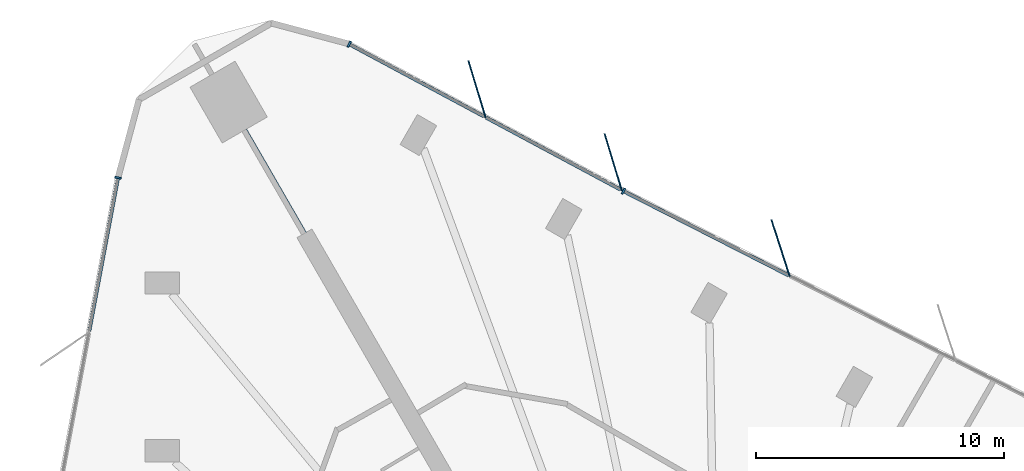
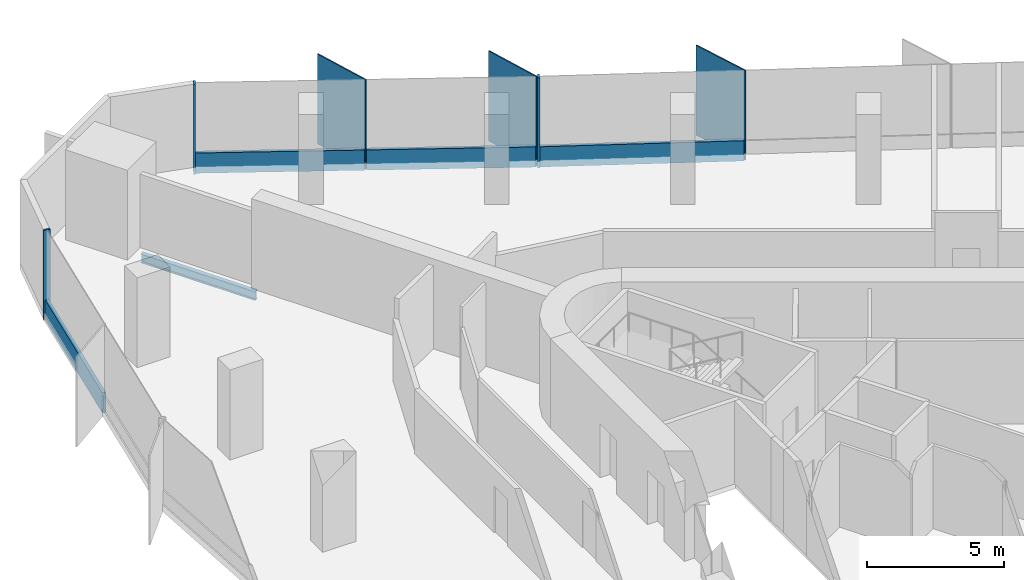
# One storey, part 6 of 13: 10 members, 1 beam, 3 elements without a shape of their own.
"""IFC4 building model written with IfcOpenShell, lengths in metres."""

from ifc_helpers import new_model, si_unit, direction, frame, origin, origin_2d, place, context, subcontext, project, spatial, rectangle, i_section, extrude, material, material_profile, profile_set, type_object, element, aggregate, save


model = new_model("IFC4")

# Units and contexts
model_context = context("Model", 3, precision=1e-05, world=origin(), true_north=direction((0.0, 1.0)))
body_context = subcontext(model_context, "Body", "Model", "MODEL_VIEW")
ifc_project = project(units=[si_unit("LENGTHUNIT", "METRE"), si_unit("AREAUNIT", "SQUARE_METRE"), si_unit("VOLUMEUNIT", "CUBIC_METRE"), si_unit("PLANEANGLEUNIT", "RADIAN"), si_unit("MASSUNIT", "GRAM", prefix="KILO")], contexts=[model_context])

# Site, building, storey
site_placement = place(None, origin())
site = spatial("IfcSite", under=ifc_project, at=site_placement, CompositionType="ELEMENT")
building_placement = place(site_placement, origin())
building = spatial("IfcBuilding", under=site, at=building_placement, Name="Tanit Gate Tower", CompositionType="ELEMENT")
storey_placement = place(building_placement, frame((0.0, 0.0, 177.199951171875)))
storey = spatial("IfcBuildingStorey", under=building, at=storey_placement, Name="L38", CompositionType="ELEMENT", Elevation=177.199951171875)

# Curtain wall, member
ifc_material_1 = material(Name="Aluminium bronze anodised and glass", Category="aluminium")
curtain_wall_type = type_object("IfcCurtainWallType", Name="Curtain wall typical mid", PredefinedType="NOTDEFINED", material=ifc_material_1)
curtain_wall_1_placement = place(storey_placement, origin())
curtain_wall_1 = element("IfcCurtainWall", 1, at=curtain_wall_1_placement, inside=storey, type_object=curtain_wall_type, Name="Curtain wall L38 NE2", PredefinedType="NOTDEFINED")
ifc_material_2 = material(Name="Aluminium bronze anodised", Category="aluminium")
ifc_material_profile_1 = material_profile(ifc_material_2, rectangle(XDim=2.39990234375, YDim=0.055908203125, at=origin_2d()), Name="56x2400 bronze fin mullion")
ifc_profile_set_1 = profile_set([ifc_material_profile_1], Name="Aluminium bronze anodised")
member_type_1 = type_object("IfcMemberType", Name="FIN MULLION 56x2400 bronze", PredefinedType="MULLION", material=ifc_profile_set_1)
member_1_placement = place(storey_placement, frame((2.418212890625, 28.48974609375, -0.300048828125), z_axis=(0.0, 0.0, 1.0), x_axis=(0.308568289465, -0.951202192353, 0.0)))
member_1 = element("IfcMember", 2, at=member_1_placement, type_object=member_type_1, Name="Fin mullion L38 NE2.5", PredefinedType="MULLION", context=body_context, shape_type="SweptSolid", body=[
    extrude(rectangle(XDim=2.39990234375, YDim=0.055908203125, at=origin_2d()), origin(), (0.0, 0.0, 1.0), 4.0),
])

# Curtain wall, members
curtain_wall_2_placement = place(storey_placement, origin())
curtain_wall_2 = element("IfcCurtainWall", 3, at=curtain_wall_2_placement, inside=storey, type_object=curtain_wall_type, Name="Curtain wall L38 NE3", PredefinedType="NOTDEFINED")
member_2_placement = place(storey_placement, frame((-4.333740234375, 31.953857421875, -0.300048828125), z_axis=(0.0, 0.0, 1.0), x_axis=(0.289196311562, -0.957269812216, 0.0)))
member_2 = element("IfcMember", 4, at=member_2_placement, type_object=member_type_1, Name="Fin mullion L38 NE3.1", PredefinedType="MULLION", context=body_context, shape_type="SweptSolid", body=[
    extrude(rectangle(XDim=2.39990234375, YDim=0.055908203125, at=origin_2d()), origin(), (0.0, 0.0, 1.0), 4.0),
])
member_3_placement = place(storey_placement, frame((-9.829345703125, 34.8994140625, -0.300048828125), z_axis=(0.0, 0.0, 1.0), x_axis=(0.289196311562, -0.957269812216, 0.0)))
member_3 = element("IfcMember", 5, at=member_3_placement, type_object=member_type_1, Name="Fin mullion L38 NE3.2", PredefinedType="MULLION", context=body_context, shape_type="SweptSolid", body=[
    extrude(rectangle(XDim=2.39990234375, YDim=0.055908203125, at=origin_2d()), origin(), (0.0, 0.0, 1.0), 4.0),
])

# Member
ifc_material_3 = material(Name="Aluminium bronze anodised", Category="aluminium")
ifc_material_profile_2 = material_profile(ifc_material_3, rectangle(XDim=0.260009765625, YDim=0.080078125, at=origin_2d()), Name="80x260 bronze mullion")
ifc_profile_set_2 = profile_set([ifc_material_profile_2], Name="Aluminium bronze anodised")
member_type_2 = type_object("IfcMemberType", Name="Mullion 80x260 typical mid", PredefinedType="MULLION", material=ifc_profile_set_2)
member_4_placement = place(storey_placement, frame((-3.921875, 30.788330078125, -0.300048828125), z_axis=(0.0, 0.0, 1.0), x_axis=(-0.454410790552, -0.890792250432, 0.0)))
member_4 = element("IfcMember", 6, at=member_4_placement, type_object=member_type_2, Name="Mullion L38 NE2.6", PredefinedType="MULLION", context=body_context, shape_type="SweptSolid", body=[
    extrude(rectangle(XDim=0.260009765625, YDim=0.080078125, at=origin_2d()), origin(), (0.0, 0.0, 1.0), 4.0),
])

member_5_placement = place(storey_placement, frame((-14.984130859375, 36.716552734375, -0.300048828125), z_axis=(0.0, 0.0, 1.0), x_axis=(-0.472399302643, -0.881384648642, 0.0)))
member_5 = element("IfcMember", 7, at=member_5_placement, type_object=member_type_2, Name="Mullion L38 NE3.3", PredefinedType="MULLION", context=body_context, shape_type="SweptSolid", body=[
    extrude(rectangle(XDim=0.260009765625, YDim=0.080078125, at=origin_2d()), origin(), (0.0, 0.0, 1.0), 4.0),
])

# Curtain wall, member
curtain_wall_3_placement = place(storey_placement, origin())
curtain_wall_3 = element("IfcCurtainWall", 8, at=curtain_wall_3_placement, inside=storey, type_object=curtain_wall_type, Name="Curtain wall L38 W1", PredefinedType="NOTDEFINED")
member_6_placement = place(storey_placement, frame((-24.313720703125, 31.32666015625, -0.300048828125), z_axis=(0.0, 0.0, 1.0), x_axis=(0.98288954154, -0.184195953081, 0.0)))
member_6 = element("IfcMember", 9, at=member_6_placement, type_object=member_type_2, Name="Mullion L38 W1.1", PredefinedType="MULLION", context=body_context, shape_type="SweptSolid", body=[
    extrude(rectangle(XDim=0.260009765625, YDim=0.080078125, at=origin_2d()), origin(), (0.0, 0.0, 1.0), 4.0),
])

# Beam
ifc_material_4 = material(Name="Steel S355", Category="steel")
ifc_material_profile_3 = material_profile(ifc_material_4, i_section(OverallWidth=0.179931640625, OverallDepth=0.39990234375, WebThickness=0.008544921875, FlangeThickness=0.013427734375, FilletRadius=0.02099609375, at=origin_2d()), Name="IPE 400")
ifc_profile_set_3 = profile_set([ifc_material_profile_3], Name="Steel S355")
beam_type = type_object("IfcBeamType", Name="RADIAL GIRDER IPE 400 S355", PredefinedType="BEAM", material=ifc_profile_set_3)
beam_placement = place(storey_placement, frame((-19.198974609375, 33.253662109375, -0.5), z_axis=(0.500010649093, -0.866019255441, 0.0), x_axis=(0.866019255441, 0.500010649093, 0.0)))
element("IfcBeam", 10, at=beam_placement, inside=storey, type_object=beam_type, Name="RADIAL GIRDER", PredefinedType="BEAM", context=body_context, shape_type="SweptSolid", body=[
    extrude(i_section(OverallWidth=0.179931640625, OverallDepth=0.39990234375, WebThickness=0.008544921875, FlangeThickness=0.013427734375, FilletRadius=0.02099609375, at=origin_2d()), origin(), (0.0, 0.0, 1.0), 4.8154296875),
])

# Member
ifc_material_5 = material(Name="Aluminium bronze anodised", Category="aluminium")
ifc_material_profile_4 = material_profile(ifc_material_5, rectangle(XDim=0.139892578125, YDim=0.89990234375, at=origin_2d()), Name="140x900 bronze transom")
ifc_profile_set_4 = profile_set([ifc_material_profile_4], Name="Aluminium bronze anodised")
member_type_3 = type_object("IfcMemberType", Name="Transom 140x900 typical mid", PredefinedType="USERDEFINED", material=ifc_profile_set_4)
member_7_placement = place(storey_placement, frame((2.746337890625, 27.38671875, 0.150146484375), z_axis=(-0.890797896574, 0.454399722116, 0.0), x_axis=(-0.454399722116, -0.890797896574, 0.0)))
member_7 = element("IfcMember", 11, at=member_7_placement, type_object=member_type_3, Name="Transom L38 NE2.5", ObjectType="TRANSOM", PredefinedType="USERDEFINED", context=body_context, shape_type="SweptSolid", body=[
    extrude(rectangle(XDim=0.139892578125, YDim=0.89990234375, at=origin_2d()), origin(), (0.0, 0.0, 1.0), 7.445556640625),
])

aggregate(curtain_wall_1, [member_1, member_4, member_7])

member_8_placement = place(storey_placement, frame((-4.028076171875, 30.84423828125, 0.150146484375), z_axis=(-0.88138265757, 0.472403017491, 0.0), x_axis=(-0.472403017491, -0.88138265757, 0.0)))
member_8 = element("IfcMember", 12, at=member_8_placement, type_object=member_type_3, Name="Transom L38 NE3.1", ObjectType="TRANSOM", PredefinedType="USERDEFINED", context=body_context, shape_type="SweptSolid", body=[
    extrude(rectangle(XDim=0.139892578125, YDim=0.89990234375, at=origin_2d()), origin(), (0.0, 0.0, 1.0), 6.1552734375),
])

member_9_placement = place(storey_placement, frame((-9.523681640625, 33.789794921875, 0.150146484375), z_axis=(-0.881391508797, 0.472386503005, 0.0), x_axis=(-0.472386503005, -0.881391508797, 0.0)))
member_9 = element("IfcMember", 13, at=member_9_placement, type_object=member_type_3, Name="Transom L38 NE3.2", ObjectType="TRANSOM", PredefinedType="USERDEFINED", context=body_context, shape_type="SweptSolid", body=[
    extrude(rectangle(XDim=0.139892578125, YDim=0.89990234375, at=origin_2d()), origin(), (0.0, 0.0, 1.0), 6.1552734375),
])

aggregate(curtain_wall_2, [member_2, member_3, member_5, member_8, member_9])

member_10_placement = place(storey_placement, frame((-24.3212890625, 31.287353515625, 0.150146484375), z_axis=(-0.184166057042, -0.982895143662, 0.0), x_axis=(0.982895143662, -0.184166057042, 0.0)))
member_10 = element("IfcMember", 14, at=member_10_placement, type_object=member_type_3, Name="Transom L38 W1.1", ObjectType="TRANSOM", PredefinedType="USERDEFINED", context=body_context, shape_type="SweptSolid", body=[
    extrude(rectangle(XDim=0.139892578125, YDim=0.89990234375, at=origin_2d()), origin(), (0.0, 0.0, 1.0), 6.25830078125),
])

aggregate(curtain_wall_3, [member_6, member_10])

save(model, "model.ifc")
